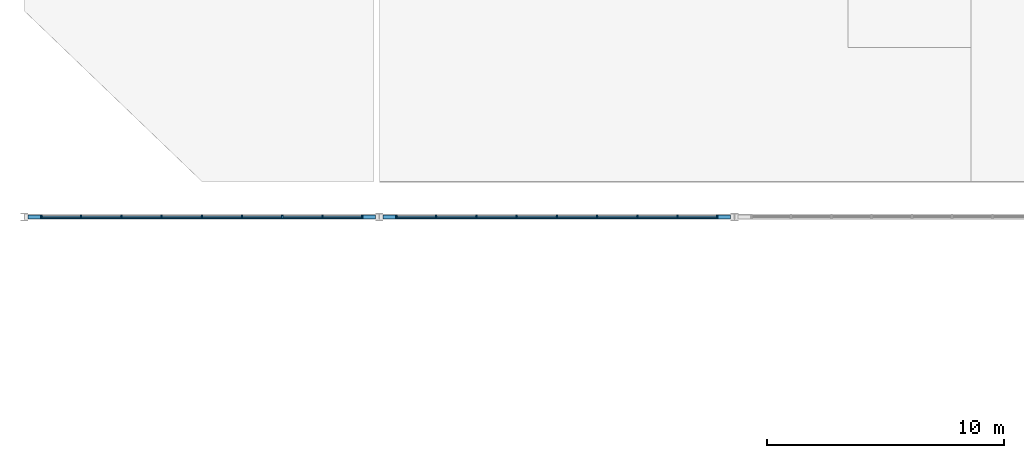
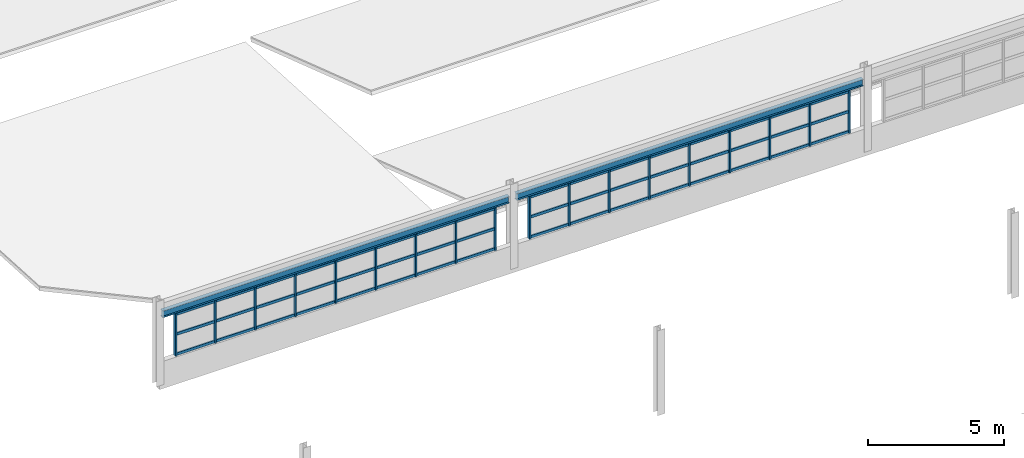
# One storey, part 17 of 90: 66 members, 2 beams, 2 elements without a shape of their own.
"""IFC4 building model written with IfcOpenShell, lengths in metres."""

import ifcopenshell
import ifcopenshell.guid

model = None  # the IFC model being written
_history = None  # IfcOwnerHistory: only IFC2X3 demands one
_inside = {}  # id of a spatial element -> (the spatial element, [elements in it])
_under = {}  # id of a project, library or spatial element -> (it, [spatial elements below it])
_declared = {}  # id of a project -> (the project, [libraries it declares])
_typed = {}  # id of a type object -> (the type object, [elements of that type])
_made_of = {}  # id of a material, layer set ... -> (it, [elements and type objects made of it])


def new_model(schema):
    """Start an empty IFC model of exactly this schema.

    Asked for "IFC4X3", IfcOpenShell would pick the latest addendum, in which some entities
    have other attributes; the version numbers below select the first issue.
    IFC2X3 requires an IfcOwnerHistory on every rooted entity: one is made here for all.
    """
    global model, _history
    if schema == "IFC4X3":
        model = ifcopenshell.file(schema_version=(4, 3, 0, 0))
    else:
        model = ifcopenshell.file(schema=schema)
    _inside.clear()
    _under.clear()
    _declared.clear()
    _typed.clear()
    _made_of.clear()
    _history = None
    if model.schema == "IFC2X3":
        org = make("IfcOrganization", Name="unknown")
        user = make(
            "IfcPersonAndOrganization",
            ThePerson=make("IfcPerson", FamilyName="unknown"),
            TheOrganization=org,
        )
        app = make(
            "IfcApplication",
            ApplicationDeveloper=org,
            Version="unknown",
            ApplicationFullName="unknown",
            ApplicationIdentifier="unknown",
        )
        _history = make(
            "IfcOwnerHistory",
            OwningUser=user,
            OwningApplication=app,
            ChangeAction="ADDED",
            CreationDate=0,
        )
    return model


def make(cls, **values):
    """One entity of the class cls with the attributes given. An attribute that is None is left unset."""
    return model.create_entity(
        cls, **{name: value for name, value in values.items() if value is not None}
    )


def rooted(cls, **values):
    """An entity with a GlobalId (a new one), such as an element, a storey or a relation."""
    return make(cls, GlobalId=ifcopenshell.guid.new(), OwnerHistory=_history, **values)


def si_unit(unit_type, name, prefix=None):
    """IfcSIUnit, for example si_unit("LENGTHUNIT", "METRE", prefix="MILLI")."""
    return make("IfcSIUnit", UnitType=unit_type, Prefix=prefix, Name=name)


def assignment(units):
    """IfcUnitAssignment: the units of a project."""
    return None if units is None else make("IfcUnitAssignment", Units=units)


def point(xyz):
    """IfcCartesianPoint."""
    return None if xyz is None else make("IfcCartesianPoint", Coordinates=xyz)


def direction(xyz):
    """IfcDirection."""
    return None if xyz is None else make("IfcDirection", DirectionRatios=xyz)


def frame(location, z_axis=None, x_axis=None):
    """IfcAxis2Placement3D, a coordinate frame: its origin and axes. An axis left out is left unset."""
    return make(
        "IfcAxis2Placement3D",
        Location=point(location),
        Axis=direction(z_axis),
        RefDirection=direction(x_axis),
    )


def frame_2d(location, x_axis=None):
    """IfcAxis2Placement2D, a coordinate frame in the plane: its origin and x axis."""
    return make(
        "IfcAxis2Placement2D", Location=point(location), RefDirection=direction(x_axis)
    )


def origin():
    """The frame at (0, 0, 0) with its axes left unset."""
    return frame((0.0, 0.0, 0.0))


def origin_2d():
    """The frame at (0, 0) in the plane with its x axis left unset."""
    return frame_2d((0.0, 0.0))


def place(relative_to, where):
    """IfcLocalPlacement: puts the frame where relative to a parent placement (None: the world)."""
    return make(
        "IfcLocalPlacement", PlacementRelTo=relative_to, RelativePlacement=where
    )


def context(
    kind, dimensions, precision=None, world=None, true_north=None, identifier=None
):
    """IfcGeometricRepresentationContext, for example the 3D "Model" context."""
    return make(
        "IfcGeometricRepresentationContext",
        ContextIdentifier=identifier,
        ContextType=kind,
        CoordinateSpaceDimension=dimensions,
        Precision=precision,
        WorldCoordinateSystem=world,
        TrueNorth=true_north,
    )


def subcontext(parent, identifier, kind, view, scale=None):
    """IfcGeometricRepresentationSubContext, for example "Body" below "Model"."""
    return make(
        "IfcGeometricRepresentationSubContext",
        ContextIdentifier=identifier,
        ContextType=kind,
        ParentContext=parent,
        TargetScale=scale,
        TargetView=view,
    )


def project(units=None, contexts=None):
    """IfcProject with its units and contexts."""
    return rooted(
        "IfcProject",
        Name="project",
        RepresentationContexts=contexts,
        UnitsInContext=assignment(units),
    )


def spatial(cls, under=None, at=None, **own):
    """A site, building, storey or space (cls), placed at a placement, below another one or the project."""
    s = rooted(cls, ObjectPlacement=at, **own)
    if under is not None:
        _under.setdefault(under.id(), (under, []))[1].append(s)
    return s


def profile(cls, at=None, kind="AREA", **sizes):
    """A parametric profile (cls). Its sizes go by their IFC names, for example OverallWidth=200.0."""
    return make(cls, ProfileType=kind, Position=at, **sizes)


def rectangle(**sizes):
    """IfcRectangleProfileDef."""
    return profile("IfcRectangleProfileDef", **sizes)


def i_section(**sizes):
    """IfcIShapeProfileDef."""
    return profile("IfcIShapeProfileDef", **sizes)


def extrude(swept, where, along, depth):
    """IfcExtrudedAreaSolid: the profile swept, set in the frame where, extruded along a direction by depth."""
    return make(
        "IfcExtrudedAreaSolid",
        SweptArea=swept,
        Position=where,
        ExtrudedDirection=direction(along),
        Depth=depth,
    )


def shape(context_of_items, identifier, shape_type, items):
    """IfcShapeRepresentation: the items that make up one representation, for example the "Body"."""
    return make(
        "IfcShapeRepresentation",
        ContextOfItems=context_of_items,
        RepresentationIdentifier=identifier,
        RepresentationType=shape_type,
        Items=items,
    )


def material(Name=None, Category=None):
    """IfcMaterial."""
    return make("IfcMaterial", Name=Name, Category=Category)


def material_profile(
    of_material, cross_section, Name=None, Category=None, Priority=None
):
    """IfcMaterialProfile: a cross section and its material."""
    return make(
        "IfcMaterialProfile",
        Name=Name,
        Material=of_material,
        Profile=cross_section,
        Priority=Priority,
        Category=Category,
    )


def profile_set(profiles, Name=None, composite=None):
    """IfcMaterialProfileSet."""
    return make(
        "IfcMaterialProfileSet",
        Name=Name,
        MaterialProfiles=profiles,
        CompositeProfile=composite,
    )


def made_of(thing, what):
    """Note that an element or type object is made of a material, layer set ...; save() writes the relation."""
    if what is not None:
        _made_of.setdefault(what.id(), (what, []))[1].append(thing)
    return thing


def type_object(cls, material=None, **own):
    """A type object (cls), such as IfcWallType, which elements share."""
    return made_of(rooted(cls, **own), material)


def element(
    cls,
    number,
    at=None,
    inside=None,
    cuts=None,
    type_object=None,
    material=None,
    context=None,
    identifier="Body",
    shape_type=None,
    held_by="IfcProductDefinitionShape",
    body=None,
    shapes=None,
    **own,
):
    """One element of the class cls, such as IfcWall. Its Tag is "e" and its number.

    at: its placement. inside: the storey or other place that contains it. cuts: it is an
    opening in that element (IfcRelVoidsElement). A single representation is given by context,
    identifier, shape_type and body (its items); several are given by shapes. held_by: the class
    of the entity that holds the representations. save() writes the other relations.
    """
    e = rooted(cls, Tag="e%d" % number, ObjectPlacement=at, **own)
    if body is not None:
        shapes = [shape(context, identifier, shape_type, body)]
    if shapes is not None:
        e.Representation = make(held_by, Representations=shapes)
    if inside is not None:
        _inside.setdefault(inside.id(), (inside, []))[1].append(e)
    if cuts is not None:
        rooted(
            "IfcRelVoidsElement", RelatingBuildingElement=cuts, RelatedOpeningElement=e
        )
    if type_object is not None:
        _typed.setdefault(type_object.id(), (type_object, []))[1].append(e)
    return made_of(e, material)


def aggregate(whole, parts):
    """IfcRelAggregates: a whole, such as a stair, and the parts it consists of."""
    return rooted("IfcRelAggregates", RelatingObject=whole, RelatedObjects=parts)


def save(model, path):
    """Write the relations noted so far, then the file.

    IfcRelAggregates (storeys below a building ...), IfcRelContainedInSpatialStructure (elements
    in a storey), IfcRelDefinesByType, IfcRelAssociatesMaterial and IfcRelDeclares: one each for
    every whole, place, type object, material and project.
    """
    for whole, parts in _under.values():
        aggregate(whole, parts)
    for where, things in _inside.values():
        rooted(
            "IfcRelContainedInSpatialStructure",
            RelatedElements=things,
            RelatingStructure=where,
        )
    for kind, things in _typed.values():
        rooted("IfcRelDefinesByType", RelatedObjects=things, RelatingType=kind)
    for what, things in _made_of.values():
        rooted("IfcRelAssociatesMaterial", RelatedObjects=things, RelatingMaterial=what)
    for by, libraries in _declared.values():
        rooted("IfcRelDeclares", RelatingContext=by, RelatedDefinitions=libraries)
    model.write(path)


model = new_model("IFC4")

# Units and contexts
model_context = context("Model", 3, precision=1e-05, world=origin(), true_north=direction((0.0, 1.0)))
body_context = subcontext(model_context, "Body", "Model", "MODEL_VIEW")
ifc_project = project(units=[si_unit("LENGTHUNIT", "METRE"), si_unit("AREAUNIT", "SQUARE_METRE"), si_unit("VOLUMEUNIT", "CUBIC_METRE"), si_unit("PLANEANGLEUNIT", "RADIAN"), si_unit("MASSUNIT", "GRAM", prefix="KILO")], contexts=[model_context])

# Site, building, storey
site_placement = place(None, origin())
site = spatial("IfcSite", under=ifc_project, at=site_placement, CompositionType="ELEMENT")
building_placement = place(site_placement, origin())
building = spatial("IfcBuilding", under=site, at=building_placement, Name="Solanera Park Tramway Depot", CompositionType="ELEMENT")
storey_placement = place(building_placement, frame((0.0, 0.0, 9.0)))
storey = spatial("IfcBuildingStorey", under=building, at=storey_placement, Name="L02", CompositionType="ELEMENT", Elevation=9.0)

# Curtain wall, members
ifc_material_1 = material(Name="Bronze-anodised thermally broken aluminium curtain wall", Category="aluminium")
curtain_wall_type = type_object("IfcCurtainWallType", Name="Workshop Daylight Ribbon Curtain Wall", PredefinedType="NOTDEFINED", material=ifc_material_1)
curtain_wall_1_placement = place(storey_placement, origin())
curtain_wall_1 = element("IfcCurtainWall", 1, at=curtain_wall_1_placement, inside=storey, type_object=curtain_wall_type, Name="L02 Workshop Daylight Ribbon Curtain Wall #152", PredefinedType="NOTDEFINED")
ifc_material_2 = material(Name="Bronze-anodised structural aluminium 6063-T6", Category="aluminium")
ifc_material_profile_1 = material_profile(ifc_material_2, rectangle(XDim=0.06494140625, YDim=0.14990234375, at=origin_2d()), Name="Curtain Wall Mullion 65x150")
ifc_profile_set_1 = profile_set([ifc_material_profile_1], Name="Bronze-anodised structural aluminium 6063-T6")
member_type_1 = type_object("IfcMemberType", Name="Curtain Wall Mullion 65x150", PredefinedType="MULLION", material=ifc_profile_set_1)
member_1_placement = place(storey_placement, frame((14.267578125, 54.0, 1.0), z_axis=(0.0, 0.0, 1.0), x_axis=(1.0, 0.0, 0.0)))
member_1 = element("IfcMember", 2, at=member_1_placement, type_object=member_type_1, Name="CW-L02-152 Mullion 1", PredefinedType="MULLION", context=body_context, shape_type="SweptSolid", body=[
    extrude(rectangle(XDim=0.06494140625, YDim=0.14990234375, at=origin_2d()), origin(), (0.0, 0.0, 1.0), 1.919921875),
])
member_2_placement = place(storey_placement, frame((12.60009765625, 54.0, 1.0), z_axis=(0.0, 0.0, 1.0), x_axis=(1.0, 0.0, 0.0)))
member_2 = element("IfcMember", 3, at=member_2_placement, type_object=member_type_1, Name="CW-L02-152 Mullion 2", PredefinedType="MULLION", context=body_context, shape_type="SweptSolid", body=[
    extrude(rectangle(XDim=0.06494140625, YDim=0.14990234375, at=origin_2d()), origin(), (0.0, 0.0, 1.0), 1.919921875),
])
member_3_placement = place(storey_placement, frame((10.89990234375, 54.0, 1.0), z_axis=(0.0, 0.0, 1.0), x_axis=(1.0, 0.0, 0.0)))
member_3 = element("IfcMember", 4, at=member_3_placement, type_object=member_type_1, Name="CW-L02-152 Mullion 3", PredefinedType="MULLION", context=body_context, shape_type="SweptSolid", body=[
    extrude(rectangle(XDim=0.06494140625, YDim=0.14990234375, at=origin_2d()), origin(), (0.0, 0.0, 1.0), 1.919921875),
])
member_4_placement = place(storey_placement, frame((9.199951171875, 54.0, 1.0), z_axis=(0.0, 0.0, 1.0), x_axis=(1.0, 0.0, 0.0)))
member_4 = element("IfcMember", 5, at=member_4_placement, type_object=member_type_1, Name="CW-L02-152 Mullion 4", PredefinedType="MULLION", context=body_context, shape_type="SweptSolid", body=[
    extrude(rectangle(XDim=0.06494140625, YDim=0.14990234375, at=origin_2d()), origin(), (0.0, 0.0, 1.0), 1.919921875),
])
member_5_placement = place(storey_placement, frame((7.5, 54.0, 1.0), z_axis=(0.0, 0.0, 1.0), x_axis=(1.0, 0.0, 0.0)))
member_5 = element("IfcMember", 6, at=member_5_placement, type_object=member_type_1, Name="CW-L02-152 Mullion 5", PredefinedType="MULLION", context=body_context, shape_type="SweptSolid", body=[
    extrude(rectangle(XDim=0.06494140625, YDim=0.14990234375, at=origin_2d()), origin(), (0.0, 0.0, 1.0), 1.919921875),
])
member_6_placement = place(storey_placement, frame((5.800048828125, 54.0, 1.0), z_axis=(0.0, 0.0, 1.0), x_axis=(1.0, 0.0, 0.0)))
member_6 = element("IfcMember", 7, at=member_6_placement, type_object=member_type_1, Name="CW-L02-152 Mullion 6", PredefinedType="MULLION", context=body_context, shape_type="SweptSolid", body=[
    extrude(rectangle(XDim=0.06494140625, YDim=0.14990234375, at=origin_2d()), origin(), (0.0, 0.0, 1.0), 1.919921875),
])
member_7_placement = place(storey_placement, frame((4.10009765625, 54.0, 1.0), z_axis=(0.0, 0.0, 1.0), x_axis=(1.0, 0.0, 0.0)))
member_7 = element("IfcMember", 8, at=member_7_placement, type_object=member_type_1, Name="CW-L02-152 Mullion 7", PredefinedType="MULLION", context=body_context, shape_type="SweptSolid", body=[
    extrude(rectangle(XDim=0.06494140625, YDim=0.14990234375, at=origin_2d()), origin(), (0.0, 0.0, 1.0), 1.919921875),
])
member_8_placement = place(storey_placement, frame((2.39990234375, 54.0, 1.0), z_axis=(0.0, 0.0, 1.0), x_axis=(1.0, 0.0, 0.0)))
member_8 = element("IfcMember", 9, at=member_8_placement, type_object=member_type_1, Name="CW-L02-152 Mullion 8", PredefinedType="MULLION", context=body_context, shape_type="SweptSolid", body=[
    extrude(rectangle(XDim=0.06494140625, YDim=0.14990234375, at=origin_2d()), origin(), (0.0, 0.0, 1.0), 1.919921875),
])
member_9_placement = place(storey_placement, frame((0.732421875, 54.0, 1.0), z_axis=(0.0, 0.0, 1.0), x_axis=(1.0, 0.0, 0.0)))
member_9 = element("IfcMember", 10, at=member_9_placement, type_object=member_type_1, Name="CW-L02-152 Mullion 9", PredefinedType="MULLION", context=body_context, shape_type="SweptSolid", body=[
    extrude(rectangle(XDim=0.06494140625, YDim=0.14990234375, at=origin_2d()), origin(), (0.0, 0.0, 1.0), 1.919921875),
])

curtain_wall_2_placement = place(storey_placement, origin())
curtain_wall_2 = element("IfcCurtainWall", 11, at=curtain_wall_2_placement, inside=storey, type_object=curtain_wall_type, Name="L02 Workshop Daylight Ribbon Curtain Wall #154", PredefinedType="NOTDEFINED")
member_10_placement = place(storey_placement, frame((29.267578125, 54.0, 1.0), z_axis=(0.0, 0.0, 1.0), x_axis=(1.0, 0.0, 0.0)))
member_10 = element("IfcMember", 12, at=member_10_placement, type_object=member_type_1, Name="CW-L02-154 Mullion 1", PredefinedType="MULLION", context=body_context, shape_type="SweptSolid", body=[
    extrude(rectangle(XDim=0.06494140625, YDim=0.14990234375, at=origin_2d()), origin(), (0.0, 0.0, 1.0), 1.919921875),
])
member_11_placement = place(storey_placement, frame((27.60009765625, 54.0, 1.0), z_axis=(0.0, 0.0, 1.0), x_axis=(1.0, 0.0, 0.0)))
member_11 = element("IfcMember", 13, at=member_11_placement, type_object=member_type_1, Name="CW-L02-154 Mullion 2", PredefinedType="MULLION", context=body_context, shape_type="SweptSolid", body=[
    extrude(rectangle(XDim=0.06494140625, YDim=0.14990234375, at=origin_2d()), origin(), (0.0, 0.0, 1.0), 1.919921875),
])
member_12_placement = place(storey_placement, frame((25.89990234375, 54.0, 1.0), z_axis=(0.0, 0.0, 1.0), x_axis=(1.0, 0.0, 0.0)))
member_12 = element("IfcMember", 14, at=member_12_placement, type_object=member_type_1, Name="CW-L02-154 Mullion 3", PredefinedType="MULLION", context=body_context, shape_type="SweptSolid", body=[
    extrude(rectangle(XDim=0.06494140625, YDim=0.14990234375, at=origin_2d()), origin(), (0.0, 0.0, 1.0), 1.919921875),
])
member_13_placement = place(storey_placement, frame((24.199951171875, 54.0, 1.0), z_axis=(0.0, 0.0, 1.0), x_axis=(1.0, 0.0, 0.0)))
member_13 = element("IfcMember", 15, at=member_13_placement, type_object=member_type_1, Name="CW-L02-154 Mullion 4", PredefinedType="MULLION", context=body_context, shape_type="SweptSolid", body=[
    extrude(rectangle(XDim=0.06494140625, YDim=0.14990234375, at=origin_2d()), origin(), (0.0, 0.0, 1.0), 1.919921875),
])
member_14_placement = place(storey_placement, frame((22.5, 54.0, 1.0), z_axis=(0.0, 0.0, 1.0), x_axis=(1.0, 0.0, 0.0)))
member_14 = element("IfcMember", 16, at=member_14_placement, type_object=member_type_1, Name="CW-L02-154 Mullion 5", PredefinedType="MULLION", context=body_context, shape_type="SweptSolid", body=[
    extrude(rectangle(XDim=0.06494140625, YDim=0.14990234375, at=origin_2d()), origin(), (0.0, 0.0, 1.0), 1.919921875),
])
member_15_placement = place(storey_placement, frame((20.800048828125, 54.0, 1.0), z_axis=(0.0, 0.0, 1.0), x_axis=(1.0, 0.0, 0.0)))
member_15 = element("IfcMember", 17, at=member_15_placement, type_object=member_type_1, Name="CW-L02-154 Mullion 6", PredefinedType="MULLION", context=body_context, shape_type="SweptSolid", body=[
    extrude(rectangle(XDim=0.06494140625, YDim=0.14990234375, at=origin_2d()), origin(), (0.0, 0.0, 1.0), 1.919921875),
])
member_16_placement = place(storey_placement, frame((19.10009765625, 54.0, 1.0), z_axis=(0.0, 0.0, 1.0), x_axis=(1.0, 0.0, 0.0)))
member_16 = element("IfcMember", 18, at=member_16_placement, type_object=member_type_1, Name="CW-L02-154 Mullion 7", PredefinedType="MULLION", context=body_context, shape_type="SweptSolid", body=[
    extrude(rectangle(XDim=0.06494140625, YDim=0.14990234375, at=origin_2d()), origin(), (0.0, 0.0, 1.0), 1.919921875),
])
member_17_placement = place(storey_placement, frame((17.39990234375, 54.0, 1.0), z_axis=(0.0, 0.0, 1.0), x_axis=(1.0, 0.0, 0.0)))
member_17 = element("IfcMember", 19, at=member_17_placement, type_object=member_type_1, Name="CW-L02-154 Mullion 8", PredefinedType="MULLION", context=body_context, shape_type="SweptSolid", body=[
    extrude(rectangle(XDim=0.06494140625, YDim=0.14990234375, at=origin_2d()), origin(), (0.0, 0.0, 1.0), 1.919921875),
])
member_18_placement = place(storey_placement, frame((15.732421875, 54.0, 1.0), z_axis=(0.0, 0.0, 1.0), x_axis=(1.0, 0.0, 0.0)))
member_18 = element("IfcMember", 20, at=member_18_placement, type_object=member_type_1, Name="CW-L02-154 Mullion 9", PredefinedType="MULLION", context=body_context, shape_type="SweptSolid", body=[
    extrude(rectangle(XDim=0.06494140625, YDim=0.14990234375, at=origin_2d()), origin(), (0.0, 0.0, 1.0), 1.919921875),
])

# Member
ifc_material_3 = material(Name="Bronze-anodised structural aluminium 6063-T6", Category="aluminium")
ifc_material_profile_2 = material_profile(ifc_material_3, rectangle(XDim=0.06494140625, YDim=0.1201171875, at=origin_2d()), Name="Curtain Wall Transom 65x120")
ifc_profile_set_2 = profile_set([ifc_material_profile_2], Name="Bronze-anodised structural aluminium 6063-T6")
member_type_2 = type_object("IfcMemberType", Name="Curtain Wall Transom 65x120", PredefinedType="USERDEFINED", material=ifc_profile_set_2)
member_19_placement = place(storey_placement, frame((14.239501953125, 54.0, 1.06005859375), z_axis=(-1.0, 0.0, 0.0), x_axis=(0.0, -1.0, 0.0)))
member_19 = element("IfcMember", 21, at=member_19_placement, type_object=member_type_2, Name="CW-L02-152 Transom R1.C1", ObjectType="TRANSOM", PredefinedType="USERDEFINED", context=body_context, shape_type="SweptSolid", body=[
    extrude(rectangle(XDim=0.06494140625, YDim=0.1201171875, at=origin_2d()), origin(), (0.0, 0.0, 1.0), 1.611572265625),
])

member_20_placement = place(storey_placement, frame((12.572021484375, 54.0, 1.06005859375), z_axis=(-1.0, 0.0, 0.0), x_axis=(0.0, -1.0, 0.0)))
member_20 = element("IfcMember", 22, at=member_20_placement, type_object=member_type_2, Name="CW-L02-152 Transom R1.C2", ObjectType="TRANSOM", PredefinedType="USERDEFINED", context=body_context, shape_type="SweptSolid", body=[
    extrude(rectangle(XDim=0.06494140625, YDim=0.1201171875, at=origin_2d()), origin(), (0.0, 0.0, 1.0), 1.64404296875),
])

member_21_placement = place(storey_placement, frame((10.8720703125, 54.0, 1.06005859375), z_axis=(-1.0, 0.0, 0.0), x_axis=(0.0, -1.0, 0.0)))
member_21 = element("IfcMember", 23, at=member_21_placement, type_object=member_type_2, Name="CW-L02-152 Transom R1.C3", ObjectType="TRANSOM", PredefinedType="USERDEFINED", context=body_context, shape_type="SweptSolid", body=[
    extrude(rectangle(XDim=0.06494140625, YDim=0.1201171875, at=origin_2d()), origin(), (0.0, 0.0, 1.0), 1.64404296875),
])

member_22_placement = place(storey_placement, frame((9.172119140625, 54.0, 1.06005859375), z_axis=(-1.0, 0.0, 0.0), x_axis=(0.0, -1.0, 0.0)))
member_22 = element("IfcMember", 24, at=member_22_placement, type_object=member_type_2, Name="CW-L02-152 Transom R1.C4", ObjectType="TRANSOM", PredefinedType="USERDEFINED", context=body_context, shape_type="SweptSolid", body=[
    extrude(rectangle(XDim=0.06494140625, YDim=0.1201171875, at=origin_2d()), origin(), (0.0, 0.0, 1.0), 1.64404296875),
])

member_23_placement = place(storey_placement, frame((7.471923828125, 54.0, 1.06005859375), z_axis=(-1.0, 0.0, 0.0), x_axis=(0.0, -1.0, 0.0)))
member_23 = element("IfcMember", 25, at=member_23_placement, type_object=member_type_2, Name="CW-L02-152 Transom R1.C5", ObjectType="TRANSOM", PredefinedType="USERDEFINED", context=body_context, shape_type="SweptSolid", body=[
    extrude(rectangle(XDim=0.06494140625, YDim=0.1201171875, at=origin_2d()), origin(), (0.0, 0.0, 1.0), 1.64404296875),
])

member_24_placement = place(storey_placement, frame((5.77197265625, 54.0, 1.06005859375), z_axis=(-1.0, 0.0, 0.0), x_axis=(0.0, -1.0, 0.0)))
member_24 = element("IfcMember", 26, at=member_24_placement, type_object=member_type_2, Name="CW-L02-152 Transom R1.C6", ObjectType="TRANSOM", PredefinedType="USERDEFINED", context=body_context, shape_type="SweptSolid", body=[
    extrude(rectangle(XDim=0.06494140625, YDim=0.1201171875, at=origin_2d()), origin(), (0.0, 0.0, 1.0), 1.64404296875),
])

member_25_placement = place(storey_placement, frame((4.072021484375, 54.0, 1.06005859375), z_axis=(-1.0, 0.0, 0.0), x_axis=(0.0, -1.0, 0.0)))
member_25 = element("IfcMember", 27, at=member_25_placement, type_object=member_type_2, Name="CW-L02-152 Transom R1.C7", ObjectType="TRANSOM", PredefinedType="USERDEFINED", context=body_context, shape_type="SweptSolid", body=[
    extrude(rectangle(XDim=0.06494140625, YDim=0.1201171875, at=origin_2d()), origin(), (0.0, 0.0, 1.0), 1.64404296875),
])

member_26_placement = place(storey_placement, frame((2.3720703125, 54.0, 1.06005859375), z_axis=(-1.0, 0.0, 0.0), x_axis=(0.0, -1.0, 0.0)))
member_26 = element("IfcMember", 28, at=member_26_placement, type_object=member_type_2, Name="CW-L02-152 Transom R1.C8", ObjectType="TRANSOM", PredefinedType="USERDEFINED", context=body_context, shape_type="SweptSolid", body=[
    extrude(rectangle(XDim=0.06494140625, YDim=0.1201171875, at=origin_2d()), origin(), (0.0, 0.0, 1.0), 1.611572265625),
])

member_27_placement = place(storey_placement, frame((14.239501953125, 54.0, 1.9599609375), z_axis=(-1.0, 0.0, 0.0), x_axis=(0.0, -1.0, 0.0)))
member_27 = element("IfcMember", 29, at=member_27_placement, type_object=member_type_2, Name="CW-L02-152 Transom R2.C1", ObjectType="TRANSOM", PredefinedType="USERDEFINED", context=body_context, shape_type="SweptSolid", body=[
    extrude(rectangle(XDim=0.06494140625, YDim=0.1201171875, at=origin_2d()), origin(), (0.0, 0.0, 1.0), 1.611572265625),
])

member_28_placement = place(storey_placement, frame((12.572021484375, 54.0, 1.9599609375), z_axis=(-1.0, 0.0, 0.0), x_axis=(0.0, -1.0, 0.0)))
member_28 = element("IfcMember", 30, at=member_28_placement, type_object=member_type_2, Name="CW-L02-152 Transom R2.C2", ObjectType="TRANSOM", PredefinedType="USERDEFINED", context=body_context, shape_type="SweptSolid", body=[
    extrude(rectangle(XDim=0.06494140625, YDim=0.1201171875, at=origin_2d()), origin(), (0.0, 0.0, 1.0), 1.64404296875),
])

member_29_placement = place(storey_placement, frame((10.8720703125, 54.0, 1.9599609375), z_axis=(-1.0, 0.0, 0.0), x_axis=(0.0, -1.0, 0.0)))
member_29 = element("IfcMember", 31, at=member_29_placement, type_object=member_type_2, Name="CW-L02-152 Transom R2.C3", ObjectType="TRANSOM", PredefinedType="USERDEFINED", context=body_context, shape_type="SweptSolid", body=[
    extrude(rectangle(XDim=0.06494140625, YDim=0.1201171875, at=origin_2d()), origin(), (0.0, 0.0, 1.0), 1.64404296875),
])

member_30_placement = place(storey_placement, frame((9.172119140625, 54.0, 1.9599609375), z_axis=(-1.0, 0.0, 0.0), x_axis=(0.0, -1.0, 0.0)))
member_30 = element("IfcMember", 32, at=member_30_placement, type_object=member_type_2, Name="CW-L02-152 Transom R2.C4", ObjectType="TRANSOM", PredefinedType="USERDEFINED", context=body_context, shape_type="SweptSolid", body=[
    extrude(rectangle(XDim=0.06494140625, YDim=0.1201171875, at=origin_2d()), origin(), (0.0, 0.0, 1.0), 1.64404296875),
])

member_31_placement = place(storey_placement, frame((7.471923828125, 54.0, 1.9599609375), z_axis=(-1.0, 0.0, 0.0), x_axis=(0.0, -1.0, 0.0)))
member_31 = element("IfcMember", 33, at=member_31_placement, type_object=member_type_2, Name="CW-L02-152 Transom R2.C5", ObjectType="TRANSOM", PredefinedType="USERDEFINED", context=body_context, shape_type="SweptSolid", body=[
    extrude(rectangle(XDim=0.06494140625, YDim=0.1201171875, at=origin_2d()), origin(), (0.0, 0.0, 1.0), 1.64404296875),
])

member_32_placement = place(storey_placement, frame((5.77197265625, 54.0, 1.9599609375), z_axis=(-1.0, 0.0, 0.0), x_axis=(0.0, -1.0, 0.0)))
member_32 = element("IfcMember", 34, at=member_32_placement, type_object=member_type_2, Name="CW-L02-152 Transom R2.C6", ObjectType="TRANSOM", PredefinedType="USERDEFINED", context=body_context, shape_type="SweptSolid", body=[
    extrude(rectangle(XDim=0.06494140625, YDim=0.1201171875, at=origin_2d()), origin(), (0.0, 0.0, 1.0), 1.64404296875),
])

member_33_placement = place(storey_placement, frame((4.072021484375, 54.0, 1.9599609375), z_axis=(-1.0, 0.0, 0.0), x_axis=(0.0, -1.0, 0.0)))
member_33 = element("IfcMember", 35, at=member_33_placement, type_object=member_type_2, Name="CW-L02-152 Transom R2.C7", ObjectType="TRANSOM", PredefinedType="USERDEFINED", context=body_context, shape_type="SweptSolid", body=[
    extrude(rectangle(XDim=0.06494140625, YDim=0.1201171875, at=origin_2d()), origin(), (0.0, 0.0, 1.0), 1.64404296875),
])

member_34_placement = place(storey_placement, frame((2.3720703125, 54.0, 1.9599609375), z_axis=(-1.0, 0.0, 0.0), x_axis=(0.0, -1.0, 0.0)))
member_34 = element("IfcMember", 36, at=member_34_placement, type_object=member_type_2, Name="CW-L02-152 Transom R2.C8", ObjectType="TRANSOM", PredefinedType="USERDEFINED", context=body_context, shape_type="SweptSolid", body=[
    extrude(rectangle(XDim=0.06494140625, YDim=0.1201171875, at=origin_2d()), origin(), (0.0, 0.0, 1.0), 1.611572265625),
])

member_35_placement = place(storey_placement, frame((14.239501953125, 54.0, 2.860107421875), z_axis=(-1.0, 0.0, 0.0), x_axis=(0.0, -1.0, 0.0)))
member_35 = element("IfcMember", 37, at=member_35_placement, type_object=member_type_2, Name="CW-L02-152 Transom R3.C1", ObjectType="TRANSOM", PredefinedType="USERDEFINED", context=body_context, shape_type="SweptSolid", body=[
    extrude(rectangle(XDim=0.06494140625, YDim=0.1201171875, at=origin_2d()), origin(), (0.0, 0.0, 1.0), 1.611572265625),
])

member_36_placement = place(storey_placement, frame((12.572021484375, 54.0, 2.860107421875), z_axis=(-1.0, 0.0, 0.0), x_axis=(0.0, -1.0, 0.0)))
member_36 = element("IfcMember", 38, at=member_36_placement, type_object=member_type_2, Name="CW-L02-152 Transom R3.C2", ObjectType="TRANSOM", PredefinedType="USERDEFINED", context=body_context, shape_type="SweptSolid", body=[
    extrude(rectangle(XDim=0.06494140625, YDim=0.1201171875, at=origin_2d()), origin(), (0.0, 0.0, 1.0), 1.64404296875),
])

member_37_placement = place(storey_placement, frame((10.8720703125, 54.0, 2.860107421875), z_axis=(-1.0, 0.0, 0.0), x_axis=(0.0, -1.0, 0.0)))
member_37 = element("IfcMember", 39, at=member_37_placement, type_object=member_type_2, Name="CW-L02-152 Transom R3.C3", ObjectType="TRANSOM", PredefinedType="USERDEFINED", context=body_context, shape_type="SweptSolid", body=[
    extrude(rectangle(XDim=0.06494140625, YDim=0.1201171875, at=origin_2d()), origin(), (0.0, 0.0, 1.0), 1.64404296875),
])

member_38_placement = place(storey_placement, frame((9.172119140625, 54.0, 2.860107421875), z_axis=(-1.0, 0.0, 0.0), x_axis=(0.0, -1.0, 0.0)))
member_38 = element("IfcMember", 40, at=member_38_placement, type_object=member_type_2, Name="CW-L02-152 Transom R3.C4", ObjectType="TRANSOM", PredefinedType="USERDEFINED", context=body_context, shape_type="SweptSolid", body=[
    extrude(rectangle(XDim=0.06494140625, YDim=0.1201171875, at=origin_2d()), origin(), (0.0, 0.0, 1.0), 1.64404296875),
])

member_39_placement = place(storey_placement, frame((7.471923828125, 54.0, 2.860107421875), z_axis=(-1.0, 0.0, 0.0), x_axis=(0.0, -1.0, 0.0)))
member_39 = element("IfcMember", 41, at=member_39_placement, type_object=member_type_2, Name="CW-L02-152 Transom R3.C5", ObjectType="TRANSOM", PredefinedType="USERDEFINED", context=body_context, shape_type="SweptSolid", body=[
    extrude(rectangle(XDim=0.06494140625, YDim=0.1201171875, at=origin_2d()), origin(), (0.0, 0.0, 1.0), 1.64404296875),
])

member_40_placement = place(storey_placement, frame((5.77197265625, 54.0, 2.860107421875), z_axis=(-1.0, 0.0, 0.0), x_axis=(0.0, -1.0, 0.0)))
member_40 = element("IfcMember", 42, at=member_40_placement, type_object=member_type_2, Name="CW-L02-152 Transom R3.C6", ObjectType="TRANSOM", PredefinedType="USERDEFINED", context=body_context, shape_type="SweptSolid", body=[
    extrude(rectangle(XDim=0.06494140625, YDim=0.1201171875, at=origin_2d()), origin(), (0.0, 0.0, 1.0), 1.64404296875),
])

member_41_placement = place(storey_placement, frame((4.072021484375, 54.0, 2.860107421875), z_axis=(-1.0, 0.0, 0.0), x_axis=(0.0, -1.0, 0.0)))
member_41 = element("IfcMember", 43, at=member_41_placement, type_object=member_type_2, Name="CW-L02-152 Transom R3.C7", ObjectType="TRANSOM", PredefinedType="USERDEFINED", context=body_context, shape_type="SweptSolid", body=[
    extrude(rectangle(XDim=0.06494140625, YDim=0.1201171875, at=origin_2d()), origin(), (0.0, 0.0, 1.0), 1.64404296875),
])

member_42_placement = place(storey_placement, frame((2.3720703125, 54.0, 2.860107421875), z_axis=(-1.0, 0.0, 0.0), x_axis=(0.0, -1.0, 0.0)))
member_42 = element("IfcMember", 44, at=member_42_placement, type_object=member_type_2, Name="CW-L02-152 Transom R3.C8", ObjectType="TRANSOM", PredefinedType="USERDEFINED", context=body_context, shape_type="SweptSolid", body=[
    extrude(rectangle(XDim=0.06494140625, YDim=0.1201171875, at=origin_2d()), origin(), (0.0, 0.0, 1.0), 1.611572265625),
])

aggregate(curtain_wall_1, [member_1, member_2, member_3, member_4, member_5, member_6, member_7, member_8, member_9, member_19, member_20, member_21, member_22, member_23, member_24, member_25, member_26, member_27, member_28, member_29, member_30, member_31, member_32, member_33, member_34, member_35, member_36, member_37, member_38, member_39, member_40, member_41, member_42])

member_43_placement = place(storey_placement, frame((29.239501953125, 54.0, 1.06005859375), z_axis=(-1.0, 0.0, 0.0), x_axis=(0.0, -1.0, 0.0)))
member_43 = element("IfcMember", 45, at=member_43_placement, type_object=member_type_2, Name="CW-L02-154 Transom R1.C1", ObjectType="TRANSOM", PredefinedType="USERDEFINED", context=body_context, shape_type="SweptSolid", body=[
    extrude(rectangle(XDim=0.06494140625, YDim=0.1201171875, at=origin_2d()), origin(), (0.0, 0.0, 1.0), 1.611572265625),
])

member_44_placement = place(storey_placement, frame((27.572021484375, 54.0, 1.06005859375), z_axis=(-1.0, 0.0, 0.0), x_axis=(0.0, -1.0, 0.0)))
member_44 = element("IfcMember", 46, at=member_44_placement, type_object=member_type_2, Name="CW-L02-154 Transom R1.C2", ObjectType="TRANSOM", PredefinedType="USERDEFINED", context=body_context, shape_type="SweptSolid", body=[
    extrude(rectangle(XDim=0.06494140625, YDim=0.1201171875, at=origin_2d()), origin(), (0.0, 0.0, 1.0), 1.64404296875),
])

member_45_placement = place(storey_placement, frame((25.8720703125, 54.0, 1.06005859375), z_axis=(-1.0, 0.0, 0.0), x_axis=(0.0, -1.0, 0.0)))
member_45 = element("IfcMember", 47, at=member_45_placement, type_object=member_type_2, Name="CW-L02-154 Transom R1.C3", ObjectType="TRANSOM", PredefinedType="USERDEFINED", context=body_context, shape_type="SweptSolid", body=[
    extrude(rectangle(XDim=0.06494140625, YDim=0.1201171875, at=origin_2d()), origin(), (0.0, 0.0, 1.0), 1.64404296875),
])

member_46_placement = place(storey_placement, frame((24.172119140625, 54.0, 1.06005859375), z_axis=(-1.0, 0.0, 0.0), x_axis=(0.0, -1.0, 0.0)))
member_46 = element("IfcMember", 48, at=member_46_placement, type_object=member_type_2, Name="CW-L02-154 Transom R1.C4", ObjectType="TRANSOM", PredefinedType="USERDEFINED", context=body_context, shape_type="SweptSolid", body=[
    extrude(rectangle(XDim=0.06494140625, YDim=0.1201171875, at=origin_2d()), origin(), (0.0, 0.0, 1.0), 1.64404296875),
])

member_47_placement = place(storey_placement, frame((22.471923828125, 54.0, 1.06005859375), z_axis=(-1.0, 0.0, 0.0), x_axis=(0.0, -1.0, 0.0)))
member_47 = element("IfcMember", 49, at=member_47_placement, type_object=member_type_2, Name="CW-L02-154 Transom R1.C5", ObjectType="TRANSOM", PredefinedType="USERDEFINED", context=body_context, shape_type="SweptSolid", body=[
    extrude(rectangle(XDim=0.06494140625, YDim=0.1201171875, at=origin_2d()), origin(), (0.0, 0.0, 1.0), 1.64404296875),
])

member_48_placement = place(storey_placement, frame((20.77197265625, 54.0, 1.06005859375), z_axis=(-1.0, 0.0, 0.0), x_axis=(0.0, -1.0, 0.0)))
member_48 = element("IfcMember", 50, at=member_48_placement, type_object=member_type_2, Name="CW-L02-154 Transom R1.C6", ObjectType="TRANSOM", PredefinedType="USERDEFINED", context=body_context, shape_type="SweptSolid", body=[
    extrude(rectangle(XDim=0.06494140625, YDim=0.1201171875, at=origin_2d()), origin(), (0.0, 0.0, 1.0), 1.64404296875),
])

member_49_placement = place(storey_placement, frame((19.072021484375, 54.0, 1.06005859375), z_axis=(-1.0, 0.0, 0.0), x_axis=(0.0, -1.0, 0.0)))
member_49 = element("IfcMember", 51, at=member_49_placement, type_object=member_type_2, Name="CW-L02-154 Transom R1.C7", ObjectType="TRANSOM", PredefinedType="USERDEFINED", context=body_context, shape_type="SweptSolid", body=[
    extrude(rectangle(XDim=0.06494140625, YDim=0.1201171875, at=origin_2d()), origin(), (0.0, 0.0, 1.0), 1.64404296875),
])

member_50_placement = place(storey_placement, frame((17.3720703125, 54.0, 1.06005859375), z_axis=(-1.0, 0.0, 0.0), x_axis=(0.0, -1.0, 0.0)))
member_50 = element("IfcMember", 52, at=member_50_placement, type_object=member_type_2, Name="CW-L02-154 Transom R1.C8", ObjectType="TRANSOM", PredefinedType="USERDEFINED", context=body_context, shape_type="SweptSolid", body=[
    extrude(rectangle(XDim=0.06494140625, YDim=0.1201171875, at=origin_2d()), origin(), (0.0, 0.0, 1.0), 1.611572265625),
])

member_51_placement = place(storey_placement, frame((29.239501953125, 54.0, 1.9599609375), z_axis=(-1.0, 0.0, 0.0), x_axis=(0.0, -1.0, 0.0)))
member_51 = element("IfcMember", 53, at=member_51_placement, type_object=member_type_2, Name="CW-L02-154 Transom R2.C1", ObjectType="TRANSOM", PredefinedType="USERDEFINED", context=body_context, shape_type="SweptSolid", body=[
    extrude(rectangle(XDim=0.06494140625, YDim=0.1201171875, at=origin_2d()), origin(), (0.0, 0.0, 1.0), 1.611572265625),
])

member_52_placement = place(storey_placement, frame((27.572021484375, 54.0, 1.9599609375), z_axis=(-1.0, 0.0, 0.0), x_axis=(0.0, -1.0, 0.0)))
member_52 = element("IfcMember", 54, at=member_52_placement, type_object=member_type_2, Name="CW-L02-154 Transom R2.C2", ObjectType="TRANSOM", PredefinedType="USERDEFINED", context=body_context, shape_type="SweptSolid", body=[
    extrude(rectangle(XDim=0.06494140625, YDim=0.1201171875, at=origin_2d()), origin(), (0.0, 0.0, 1.0), 1.64404296875),
])

member_53_placement = place(storey_placement, frame((25.8720703125, 54.0, 1.9599609375), z_axis=(-1.0, 0.0, 0.0), x_axis=(0.0, -1.0, 0.0)))
member_53 = element("IfcMember", 55, at=member_53_placement, type_object=member_type_2, Name="CW-L02-154 Transom R2.C3", ObjectType="TRANSOM", PredefinedType="USERDEFINED", context=body_context, shape_type="SweptSolid", body=[
    extrude(rectangle(XDim=0.06494140625, YDim=0.1201171875, at=origin_2d()), origin(), (0.0, 0.0, 1.0), 1.64404296875),
])

member_54_placement = place(storey_placement, frame((24.172119140625, 54.0, 1.9599609375), z_axis=(-1.0, 0.0, 0.0), x_axis=(0.0, -1.0, 0.0)))
member_54 = element("IfcMember", 56, at=member_54_placement, type_object=member_type_2, Name="CW-L02-154 Transom R2.C4", ObjectType="TRANSOM", PredefinedType="USERDEFINED", context=body_context, shape_type="SweptSolid", body=[
    extrude(rectangle(XDim=0.06494140625, YDim=0.1201171875, at=origin_2d()), origin(), (0.0, 0.0, 1.0), 1.64404296875),
])

member_55_placement = place(storey_placement, frame((22.471923828125, 54.0, 1.9599609375), z_axis=(-1.0, 0.0, 0.0), x_axis=(0.0, -1.0, 0.0)))
member_55 = element("IfcMember", 57, at=member_55_placement, type_object=member_type_2, Name="CW-L02-154 Transom R2.C5", ObjectType="TRANSOM", PredefinedType="USERDEFINED", context=body_context, shape_type="SweptSolid", body=[
    extrude(rectangle(XDim=0.06494140625, YDim=0.1201171875, at=origin_2d()), origin(), (0.0, 0.0, 1.0), 1.64404296875),
])

member_56_placement = place(storey_placement, frame((20.77197265625, 54.0, 1.9599609375), z_axis=(-1.0, 0.0, 0.0), x_axis=(0.0, -1.0, 0.0)))
member_56 = element("IfcMember", 58, at=member_56_placement, type_object=member_type_2, Name="CW-L02-154 Transom R2.C6", ObjectType="TRANSOM", PredefinedType="USERDEFINED", context=body_context, shape_type="SweptSolid", body=[
    extrude(rectangle(XDim=0.06494140625, YDim=0.1201171875, at=origin_2d()), origin(), (0.0, 0.0, 1.0), 1.64404296875),
])

member_57_placement = place(storey_placement, frame((19.072021484375, 54.0, 1.9599609375), z_axis=(-1.0, 0.0, 0.0), x_axis=(0.0, -1.0, 0.0)))
member_57 = element("IfcMember", 59, at=member_57_placement, type_object=member_type_2, Name="CW-L02-154 Transom R2.C7", ObjectType="TRANSOM", PredefinedType="USERDEFINED", context=body_context, shape_type="SweptSolid", body=[
    extrude(rectangle(XDim=0.06494140625, YDim=0.1201171875, at=origin_2d()), origin(), (0.0, 0.0, 1.0), 1.64404296875),
])

member_58_placement = place(storey_placement, frame((17.3720703125, 54.0, 1.9599609375), z_axis=(-1.0, 0.0, 0.0), x_axis=(0.0, -1.0, 0.0)))
member_58 = element("IfcMember", 60, at=member_58_placement, type_object=member_type_2, Name="CW-L02-154 Transom R2.C8", ObjectType="TRANSOM", PredefinedType="USERDEFINED", context=body_context, shape_type="SweptSolid", body=[
    extrude(rectangle(XDim=0.06494140625, YDim=0.1201171875, at=origin_2d()), origin(), (0.0, 0.0, 1.0), 1.611572265625),
])

member_59_placement = place(storey_placement, frame((29.239501953125, 54.0, 2.860107421875), z_axis=(-1.0, 0.0, 0.0), x_axis=(0.0, -1.0, 0.0)))
member_59 = element("IfcMember", 61, at=member_59_placement, type_object=member_type_2, Name="CW-L02-154 Transom R3.C1", ObjectType="TRANSOM", PredefinedType="USERDEFINED", context=body_context, shape_type="SweptSolid", body=[
    extrude(rectangle(XDim=0.06494140625, YDim=0.1201171875, at=origin_2d()), origin(), (0.0, 0.0, 1.0), 1.611572265625),
])

member_60_placement = place(storey_placement, frame((27.572021484375, 54.0, 2.860107421875), z_axis=(-1.0, 0.0, 0.0), x_axis=(0.0, -1.0, 0.0)))
member_60 = element("IfcMember", 62, at=member_60_placement, type_object=member_type_2, Name="CW-L02-154 Transom R3.C2", ObjectType="TRANSOM", PredefinedType="USERDEFINED", context=body_context, shape_type="SweptSolid", body=[
    extrude(rectangle(XDim=0.06494140625, YDim=0.1201171875, at=origin_2d()), origin(), (0.0, 0.0, 1.0), 1.64404296875),
])

member_61_placement = place(storey_placement, frame((25.8720703125, 54.0, 2.860107421875), z_axis=(-1.0, 0.0, 0.0), x_axis=(0.0, -1.0, 0.0)))
member_61 = element("IfcMember", 63, at=member_61_placement, type_object=member_type_2, Name="CW-L02-154 Transom R3.C3", ObjectType="TRANSOM", PredefinedType="USERDEFINED", context=body_context, shape_type="SweptSolid", body=[
    extrude(rectangle(XDim=0.06494140625, YDim=0.1201171875, at=origin_2d()), origin(), (0.0, 0.0, 1.0), 1.64404296875),
])

member_62_placement = place(storey_placement, frame((24.172119140625, 54.0, 2.860107421875), z_axis=(-1.0, 0.0, 0.0), x_axis=(0.0, -1.0, 0.0)))
member_62 = element("IfcMember", 64, at=member_62_placement, type_object=member_type_2, Name="CW-L02-154 Transom R3.C4", ObjectType="TRANSOM", PredefinedType="USERDEFINED", context=body_context, shape_type="SweptSolid", body=[
    extrude(rectangle(XDim=0.06494140625, YDim=0.1201171875, at=origin_2d()), origin(), (0.0, 0.0, 1.0), 1.64404296875),
])

member_63_placement = place(storey_placement, frame((22.471923828125, 54.0, 2.860107421875), z_axis=(-1.0, 0.0, 0.0), x_axis=(0.0, -1.0, 0.0)))
member_63 = element("IfcMember", 65, at=member_63_placement, type_object=member_type_2, Name="CW-L02-154 Transom R3.C5", ObjectType="TRANSOM", PredefinedType="USERDEFINED", context=body_context, shape_type="SweptSolid", body=[
    extrude(rectangle(XDim=0.06494140625, YDim=0.1201171875, at=origin_2d()), origin(), (0.0, 0.0, 1.0), 1.64404296875),
])

member_64_placement = place(storey_placement, frame((20.77197265625, 54.0, 2.860107421875), z_axis=(-1.0, 0.0, 0.0), x_axis=(0.0, -1.0, 0.0)))
member_64 = element("IfcMember", 66, at=member_64_placement, type_object=member_type_2, Name="CW-L02-154 Transom R3.C6", ObjectType="TRANSOM", PredefinedType="USERDEFINED", context=body_context, shape_type="SweptSolid", body=[
    extrude(rectangle(XDim=0.06494140625, YDim=0.1201171875, at=origin_2d()), origin(), (0.0, 0.0, 1.0), 1.64404296875),
])

member_65_placement = place(storey_placement, frame((19.072021484375, 54.0, 2.860107421875), z_axis=(-1.0, 0.0, 0.0), x_axis=(0.0, -1.0, 0.0)))
member_65 = element("IfcMember", 67, at=member_65_placement, type_object=member_type_2, Name="CW-L02-154 Transom R3.C7", ObjectType="TRANSOM", PredefinedType="USERDEFINED", context=body_context, shape_type="SweptSolid", body=[
    extrude(rectangle(XDim=0.06494140625, YDim=0.1201171875, at=origin_2d()), origin(), (0.0, 0.0, 1.0), 1.64404296875),
])

member_66_placement = place(storey_placement, frame((17.3720703125, 54.0, 2.860107421875), z_axis=(-1.0, 0.0, 0.0), x_axis=(0.0, -1.0, 0.0)))
member_66 = element("IfcMember", 68, at=member_66_placement, type_object=member_type_2, Name="CW-L02-154 Transom R3.C8", ObjectType="TRANSOM", PredefinedType="USERDEFINED", context=body_context, shape_type="SweptSolid", body=[
    extrude(rectangle(XDim=0.06494140625, YDim=0.1201171875, at=origin_2d()), origin(), (0.0, 0.0, 1.0), 1.611572265625),
])

aggregate(curtain_wall_2, [member_10, member_11, member_12, member_13, member_14, member_15, member_16, member_17, member_18, member_43, member_44, member_45, member_46, member_47, member_48, member_49, member_50, member_51, member_52, member_53, member_54, member_55, member_56, member_57, member_58, member_59, member_60, member_61, member_62, member_63, member_64, member_65, member_66])

# Beams
ifc_material_4 = material(Name="Steel AS/NZS 3679.1 Grade 350", Category="steel")
ifc_material_profile_3 = material_profile(ifc_material_4, i_section(OverallWidth=0.166015625, OverallDepth=0.30712890625, WebThickness=0.006591796875, FlangeThickness=0.01171875, at=origin_2d()), Name="310UB46.2")
ifc_profile_set_3 = profile_set([ifc_material_profile_3], Name="Steel AS/NZS 3679.1 Grade 350")
beam_type = type_object("IfcBeamType", Name="Steel Beam 310UB46.2", PredefinedType="BEAM", material=ifc_profile_set_3)
for number, where, z_axis, x_axis, name in (
    (69, (0.1533203125, 54.0, 3.091552734375), (1.0, 0.0, 0.0), (0.0, 1.0, 0.0), "L02 Workshop North Clerestory Lintel Girt 310UB46.2 #01"),
    (70, (15.1533203125, 54.0, 3.091552734375), (1.0, 0.0, 0.0), (0.0, 1.0, 0.0), "L02 Workshop North Clerestory Lintel Girt 310UB46.2 #02"),
):
    element("IfcBeam", number, at=place(storey_placement, frame(where, z_axis=z_axis, x_axis=x_axis)), inside=storey, type_object=beam_type, Name=name, PredefinedType="BEAM", context=body_context, shape_type="SweptSolid", body=[
        extrude(i_section(OverallWidth=0.166015625, OverallDepth=0.30712890625, WebThickness=0.006591796875, FlangeThickness=0.01171875, at=origin_2d()), origin(), (0.0, 0.0, 1.0), 14.693359375),
    ])

save(model, "model.ifc")
